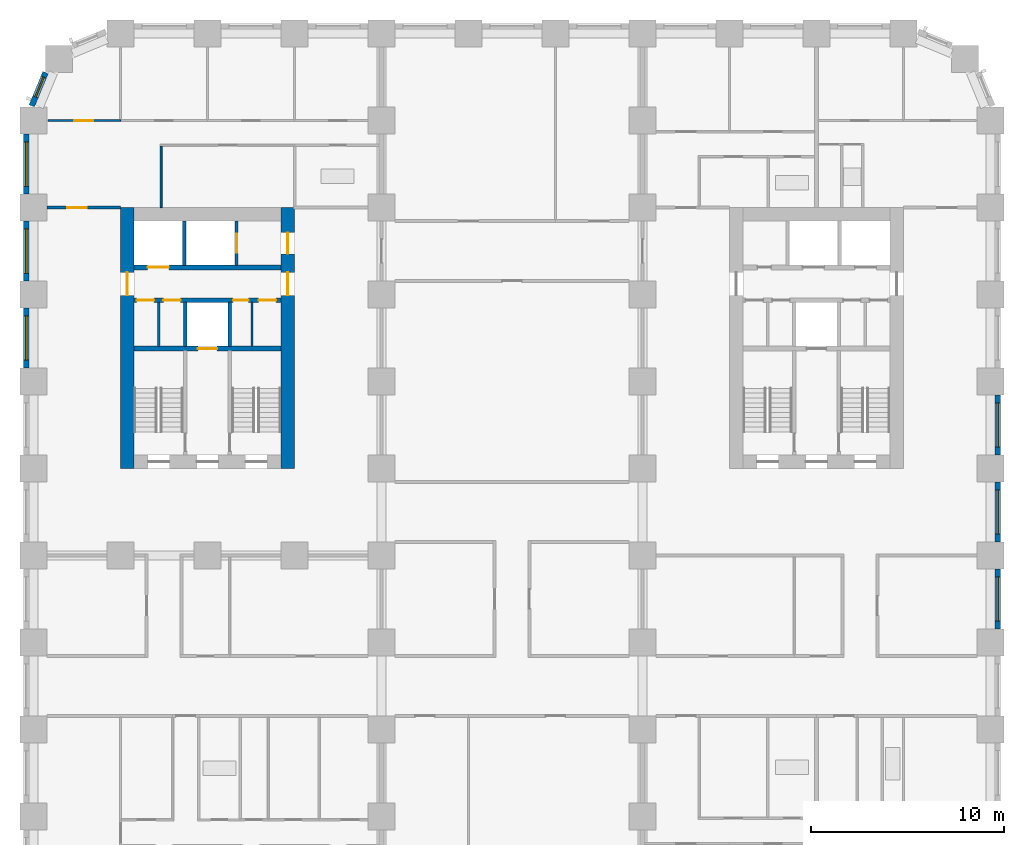
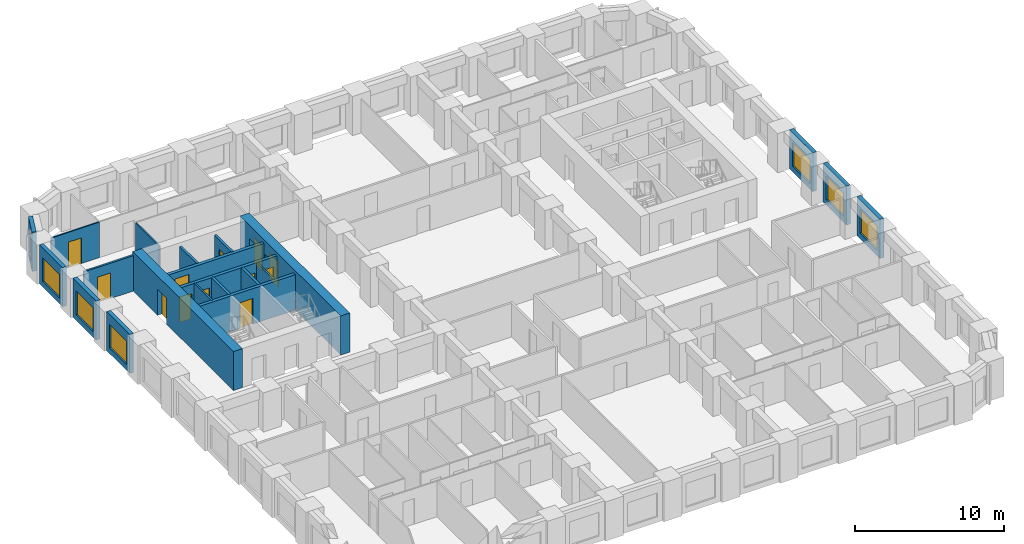
# One storey, part 6 of 12: 21 walls, 12 doors, 7 windows, 19 openings.
"""IFC4 building model written with IfcOpenShell, lengths in metres."""

from ifc_helpers import new_model, si_unit, direction, frame, frame_2d, origin, place, context, subcontext, project, spatial, rectangle, extrude, material, layer, layer_set, type_object, element, fill, save


model = new_model("IFC4")

# Units and contexts
model_context = context("Model", 3, precision=1e-05, world=origin(), true_north=direction((0.0, 1.0)))
body_context = subcontext(model_context, "Body", "Model", "MODEL_VIEW")
ifc_project = project(units=[si_unit("LENGTHUNIT", "METRE"), si_unit("AREAUNIT", "SQUARE_METRE"), si_unit("VOLUMEUNIT", "CUBIC_METRE"), si_unit("PLANEANGLEUNIT", "RADIAN"), si_unit("MASSUNIT", "GRAM", prefix="KILO")], contexts=[model_context])

# Site, building, storey
site_placement = place(None, origin())
site = spatial("IfcSite", under=ifc_project, at=site_placement, CompositionType="ELEMENT")
building_placement = place(site_placement, origin())
building = spatial("IfcBuilding", under=site, at=building_placement, Name="Girih Gate Residences", CompositionType="ELEMENT")
storey_placement = place(building_placement, frame((0.0, 0.0, 59.199951171875)))
storey = spatial("IfcBuildingStorey", under=building, at=storey_placement, Name="L15", CompositionType="ELEMENT", Elevation=59.199951171875)

# Wall, opening, door
ifc_material_1 = material(Name="Gypsum board on steel studs", Category="steel")
ifc_layer_1 = layer(ifc_material_1, 0.14990234375)
ifc_layer_set_1 = layer_set([ifc_layer_1], Name="Compartment wall 150 mm")
wall_type_1 = type_object("IfcWallType", Name="Compartment wall 150 mm", PredefinedType="PARTITIONING", material=ifc_layer_set_1)
wall_1_placement = place(storey_placement, frame((0.699951171875, 40.5, 0.0), z_axis=(0.0, 0.0, 1.0), x_axis=(1.0, 0.0, 0.0)))
wall_1 = element("IfcWall", 1, at=wall_1_placement, inside=storey, type_object=wall_type_1, Name="L15 partition", PredefinedType="PARTITIONING", context=body_context, shape_type="SweptSolid", body=[
    extrude(rectangle(XDim=3.800048828125, YDim=0.14990234375, at=frame_2d((1.89990234375, 0.0))), origin(), (0.0, 0.0, 1.0), 2.900146484375),
])
opening_1_placement = place(wall_1_placement, frame((1.050048828125, 0.0, 0.0)))
opening_1 = element("IfcOpeningElement", 2, at=opening_1_placement, cuts=wall_1, Name="Opening A15-017", PredefinedType="OPENING", context=body_context, shape_type="SweptSolid", body=[
    extrude(rectangle(XDim=1.0, YDim=2.10009765625, at=frame_2d((0.5, 1.050048828125))), frame((0.0, 0.0849609375, 0.0), z_axis=(0.0, -1.0, 0.0), x_axis=(1.0, 0.0, 0.0)), (0.0, 0.0, 1.0), 0.169921875),
])
ifc_material_2 = material(Name="Timber, fire-rated core", Category="wood")
door_type_1 = type_object("IfcDoorType", Name="Flat entrance door 1000x2100 FD30S", OperationType="NOTDEFINED", PredefinedType="DOOR", material=ifc_material_2)
door_1_placement = place(opening_1_placement, origin())
door_1 = element("IfcDoor", 3, at=door_1_placement, inside=storey, type_object=door_type_1, Name="Door A15-017", OperationType="SINGLE_SWING_LEFT", OverallHeight=2.10009765625, OverallWidth=1.0, PredefinedType="DOOR", context=body_context, shape_type="SweptSolid", body=[
    extrude(rectangle(XDim=1.0, YDim=2.10009765625, at=frame_2d((0.5, 1.050048828125))), frame((0.0, 0.02490234375, 0.0), z_axis=(0.0, -1.0, 0.0), x_axis=(1.0, 0.0, 0.0)), (0.0, 0.0, 1.0), 0.050048828125),
])
fill(opening_1, door_1)

ifc_material_3 = material(Name="Concrete C60/75", Category="concrete")
ifc_layer_2 = layer(ifc_material_3, 0.699951171875)
ifc_layer_set_2 = layer_set([ifc_layer_2], Name="Core wall RC 700 Concrete C60/75")
wall_type_2 = type_object("IfcWallType", Name="Core wall RC 700 Concrete C60/75", PredefinedType="SOLIDWALL", material=ifc_layer_set_2)
wall_2_placement = place(storey_placement, frame((4.85009765625, 27.0, 0.0), z_axis=(0.0, 0.0, 1.0), x_axis=(0.0, 1.0, 0.0)))
wall_2 = element("IfcWall", 4, at=wall_2_placement, inside=storey, type_object=wall_type_2, Name="Core wall W-W L15", PredefinedType="SOLIDWALL", context=body_context, shape_type="SweptSolid", body=[
    extrude(rectangle(XDim=13.5, YDim=0.699951171875, at=frame_2d((6.75, 0.0))), origin(), (0.0, 0.0, 1.0), 3.199951171875),
])
opening_2_placement = place(wall_2_placement, frame((8.949951171875, 0.0, 0.0)))
opening_2 = element("IfcOpeningElement", 5, at=opening_2_placement, cuts=wall_2, Name="Opening D-L15-W-014", PredefinedType="OPENING", context=body_context, shape_type="SweptSolid", body=[
    extrude(rectangle(XDim=1.199951171875, YDim=2.10009765625, at=frame_2d((0.60009765625, 1.050048828125))), frame((0.0, 0.35986328125, 0.0), z_axis=(0.0, -1.0, 0.0), x_axis=(1.0, 0.0, 0.0)), (0.0, 0.0, 1.0), 0.719970703125),
])
ifc_material_4 = material(Name="Painted steel, fire-resisting", Category="steel")
door_type_2 = type_object("IfcDoorType", Name="Fire door 1200x2100", OperationType="SINGLE_SWING_LEFT", PredefinedType="DOOR", material=ifc_material_4)
door_2_placement = place(opening_2_placement, origin())
door_2 = element("IfcDoor", 6, at=door_2_placement, inside=storey, type_object=door_type_2, Name="L15 W core door ll-w", OperationType="SINGLE_SWING_LEFT", OverallHeight=2.10009765625, OverallWidth=1.199951171875, PredefinedType="DOOR", context=body_context, shape_type="SweptSolid", body=[
    extrude(rectangle(XDim=1.199951171875, YDim=2.10009765625, at=frame_2d((0.60009765625, 1.050048828125))), frame((0.0, 0.02490234375, 0.0), z_axis=(0.0, -1.0, 0.0), x_axis=(1.0, 0.0, 0.0)), (0.0, 0.0, 1.0), 0.050048828125),
])
fill(opening_2, door_2)

# Wall, openings, doors
wall_3_placement = place(storey_placement, frame((13.14990234375, 27.0, 0.0), z_axis=(0.0, 0.0, 1.0), x_axis=(0.0, 1.0, 0.0)))
wall_3 = element("IfcWall", 7, at=wall_3_placement, inside=storey, type_object=wall_type_2, Name="Core wall W-E L15", PredefinedType="SOLIDWALL", context=body_context, shape_type="SweptSolid", body=[
    extrude(rectangle(XDim=13.5, YDim=0.699951171875, at=frame_2d((6.75, 0.0))), origin(), (0.0, 0.0, 1.0), 3.199951171875),
])
opening_3_placement = place(wall_3_placement, frame((11.10009765625, 0.0, 0.0)))
opening_3 = element("IfcOpeningElement", 8, at=opening_3_placement, cuts=wall_3, Name="Opening D-L15-W-013", PredefinedType="OPENING", context=body_context, shape_type="SweptSolid", body=[
    extrude(rectangle(XDim=1.10009765625, YDim=2.10009765625, at=frame_2d((0.550048828125, 1.050048828125))), frame((0.0, 0.35986328125, 0.0), z_axis=(0.0, -1.0, 0.0), x_axis=(1.0, 0.0, 0.0)), (0.0, 0.0, 1.0), 0.719970703125),
])
opening_4_placement = place(wall_3_placement, frame((8.949951171875, 0.0, 0.0)))
opening_4 = element("IfcOpeningElement", 9, at=opening_4_placement, cuts=wall_3, Name="Opening D-L15-W-015", PredefinedType="OPENING", context=body_context, shape_type="SweptSolid", body=[
    extrude(rectangle(XDim=1.199951171875, YDim=2.10009765625, at=frame_2d((0.60009765625, 1.050048828125))), frame((0.0, 0.35986328125, 0.0), z_axis=(0.0, -1.0, 0.0), x_axis=(1.0, 0.0, 0.0)), (0.0, 0.0, 1.0), 0.719970703125),
])
door_type_3 = type_object("IfcDoorType", Name="Fire door 1100x2100", OperationType="SINGLE_SWING_LEFT", PredefinedType="DOOR", material=ifc_material_4)
door_3_placement = place(opening_3_placement, origin())
door_3 = element("IfcDoor", 10, at=door_3_placement, inside=storey, type_object=door_type_3, Name="L15 W core door ffl2-e", OperationType="SINGLE_SWING_LEFT", OverallHeight=2.10009765625, OverallWidth=1.10009765625, PredefinedType="DOOR", context=body_context, shape_type="SweptSolid", body=[
    extrude(rectangle(XDim=1.10009765625, YDim=2.10009765625, at=frame_2d((0.550048828125, 1.050048828125))), frame((0.0, 0.02490234375, 0.0), z_axis=(0.0, -1.0, 0.0), x_axis=(1.0, 0.0, 0.0)), (0.0, 0.0, 1.0), 0.050048828125),
])
fill(opening_3, door_3)
door_4_placement = place(opening_4_placement, origin())
door_4 = element("IfcDoor", 11, at=door_4_placement, inside=storey, type_object=door_type_2, Name="L15 W core door ll-e", OperationType="SINGLE_SWING_LEFT", OverallHeight=2.10009765625, OverallWidth=1.199951171875, PredefinedType="DOOR", context=body_context, shape_type="SweptSolid", body=[
    extrude(rectangle(XDim=1.199951171875, YDim=2.10009765625, at=frame_2d((0.60009765625, 1.050048828125))), frame((0.0, 0.02490234375, 0.0), z_axis=(0.0, -1.0, 0.0), x_axis=(1.0, 0.0, 0.0)), (0.0, 0.0, 1.0), 0.050048828125),
])
fill(opening_4, door_4)

# Wall, opening, door
ifc_material_5 = material(Name="Concrete C40/50", Category="concrete")
ifc_layer_3 = layer(ifc_material_5, 0.25)
ifc_layer_set_3 = layer_set([ifc_layer_3], Name="Lift shaft wall 250")
wall_type_3 = type_object("IfcWallType", Name="Lift shaft wall 250", PredefinedType="SOLIDWALL", material=ifc_layer_set_3)
wall_4_placement = place(storey_placement, frame((5.199951171875, 33.199951171875, 0.0), z_axis=(0.0, 0.0, 1.0), x_axis=(1.0, 0.0, 0.0)))
wall_4 = element("IfcWall", 12, at=wall_4_placement, inside=storey, type_object=wall_type_3, Name="L15 W core wall H1", PredefinedType="SOLIDWALL", context=body_context, shape_type="SweptSolid", body=[
    extrude(rectangle(XDim=7.60009765625, YDim=0.25, at=frame_2d((3.800048828125, 0.0))), origin(), (0.0, 0.0, 1.0), 2.900146484375),
])
opening_5_placement = place(wall_4_placement, frame((3.300048828125, 0.0, 0.0)))
opening_5 = element("IfcOpeningElement", 13, at=opening_5_placement, cuts=wall_4, Name="Opening D-L15-W-005", PredefinedType="OPENING", context=body_context, shape_type="SweptSolid", body=[
    extrude(rectangle(XDim=1.0, YDim=2.10009765625, at=frame_2d((0.5, 1.050048828125))), frame((0.0, 0.135009765625, 0.0), z_axis=(0.0, -1.0, 0.0), x_axis=(1.0, 0.0, 0.0)), (0.0, 0.0, 1.0), 0.27001953125),
])
ifc_material_6 = material(Name="Stainless steel, fire-resisting", Category="steel")
door_type_4 = type_object("IfcDoorType", Name="Firefighting lift landing door 1000x2100", OperationType="SLIDING_TO_LEFT", PredefinedType="DOOR", material=ifc_material_6)
door_5_placement = place(opening_5_placement, origin())
door_5 = element("IfcDoor", 14, at=door_5_placement, inside=storey, type_object=door_type_4, Name="L15 lift FF-W landing door", OperationType="SLIDING_TO_LEFT", OverallHeight=2.10009765625, OverallWidth=1.0, PredefinedType="DOOR", context=body_context, shape_type="SweptSolid", body=[
    extrude(rectangle(XDim=1.0, YDim=2.10009765625, at=frame_2d((0.5, 1.050048828125))), frame((0.0, 0.02490234375, 0.0), z_axis=(0.0, -1.0, 0.0), x_axis=(1.0, 0.0, 0.0)), (0.0, 0.0, 1.0), 0.050048828125),
])
fill(opening_5, door_5)

# Wall, openings, doors
wall_5_placement = place(storey_placement, frame((5.199951171875, 35.699951171875, 0.0), z_axis=(0.0, 0.0, 1.0), x_axis=(1.0, 0.0, 0.0)))
wall_5 = element("IfcWall", 15, at=wall_5_placement, inside=storey, type_object=wall_type_3, Name="L15 W core wall H2", PredefinedType="SOLIDWALL", context=body_context, shape_type="SweptSolid", body=[
    extrude(rectangle(XDim=7.60009765625, YDim=0.25, at=frame_2d((3.800048828125, 0.0))), origin(), (0.0, 0.0, 1.0), 2.900146484375),
])
opening_6_placement = place(wall_5_placement, frame((0.137451171875, 0.0, 0.0)))
opening_6 = element("IfcOpeningElement", 16, at=opening_6_placement, cuts=wall_5, Name="Opening D-L15-W-006", PredefinedType="OPENING", context=body_context, shape_type="SweptSolid", body=[
    extrude(rectangle(XDim=0.89990234375, YDim=2.10009765625, at=frame_2d((0.449951171875, 1.050048828125))), frame((0.0, 0.135009765625, 0.0), z_axis=(0.0, -1.0, 0.0), x_axis=(1.0, 0.0, 0.0)), (0.0, 0.0, 1.0), 0.27001953125),
])
opening_7_placement = place(wall_5_placement, frame((1.512451171875, 0.0, 0.0)))
opening_7 = element("IfcOpeningElement", 17, at=opening_7_placement, cuts=wall_5, Name="Opening D-L15-W-007", PredefinedType="OPENING", context=body_context, shape_type="SweptSolid", body=[
    extrude(rectangle(XDim=0.89990234375, YDim=2.10009765625, at=frame_2d((0.449951171875, 1.050048828125))), frame((0.0, 0.135009765625, 0.0), z_axis=(0.0, -1.0, 0.0), x_axis=(1.0, 0.0, 0.0)), (0.0, 0.0, 1.0), 0.27001953125),
])
opening_8_placement = place(wall_5_placement, frame((5.125, 0.0, 0.0)))
opening_8 = element("IfcOpeningElement", 18, at=opening_8_placement, cuts=wall_5, Name="Opening D-L15-W-008", PredefinedType="OPENING", context=body_context, shape_type="SweptSolid", body=[
    extrude(rectangle(XDim=0.800048828125, YDim=2.10009765625, at=frame_2d((0.39990234375, 1.050048828125))), frame((0.0, 0.135009765625, 0.0), z_axis=(0.0, -1.0, 0.0), x_axis=(1.0, 0.0, 0.0)), (0.0, 0.0, 1.0), 0.27001953125),
])
opening_9_placement = place(wall_5_placement, frame((6.449951171875, 0.0, 0.0)))
opening_9 = element("IfcOpeningElement", 19, at=opening_9_placement, cuts=wall_5, Name="Opening D-L15-W-009", PredefinedType="OPENING", context=body_context, shape_type="SweptSolid", body=[
    extrude(rectangle(XDim=0.89990234375, YDim=2.10009765625, at=frame_2d((0.449951171875, 1.050048828125))), frame((0.0, 0.135009765625, 0.0), z_axis=(0.0, -1.0, 0.0), x_axis=(1.0, 0.0, 0.0)), (0.0, 0.0, 1.0), 0.27001953125),
])
door_type_5 = type_object("IfcDoorType", Name="Fire door 800x2100", OperationType="SINGLE_SWING_LEFT", PredefinedType="DOOR", material=ifc_material_4)
door_6_placement = place(opening_8_placement, origin())
door_6 = element("IfcDoor", 20, at=door_6_placement, inside=storey, type_object=door_type_5, Name="L15 W electrical room door", OperationType="SINGLE_SWING_LEFT", OverallHeight=2.10009765625, OverallWidth=0.800048828125, PredefinedType="DOOR", context=body_context, shape_type="SweptSolid", body=[
    extrude(rectangle(XDim=0.800048828125, YDim=2.10009765625, at=frame_2d((0.39990234375, 1.050048828125))), frame((0.0, 0.02490234375, 0.0), z_axis=(0.0, -1.0, 0.0), x_axis=(1.0, 0.0, 0.0)), (0.0, 0.0, 1.0), 0.050048828125),
])
fill(opening_8, door_6)
door_type_6 = type_object("IfcDoorType", Name="Fire door 900x2100", OperationType="SINGLE_SWING_LEFT", PredefinedType="DOOR", material=ifc_material_4)
door_7_placement = place(opening_6_placement, origin())
door_7 = element("IfcDoor", 21, at=door_7_placement, inside=storey, type_object=door_type_6, Name="L15 W cleaners store door", OperationType="SINGLE_SWING_LEFT", OverallHeight=2.10009765625, OverallWidth=0.89990234375, PredefinedType="DOOR", context=body_context, shape_type="SweptSolid", body=[
    extrude(rectangle(XDim=0.89990234375, YDim=2.10009765625, at=frame_2d((0.449951171875, 1.050048828125))), frame((0.0, 0.02490234375, 0.0), z_axis=(0.0, -1.0, 0.0), x_axis=(1.0, 0.0, 0.0)), (0.0, 0.0, 1.0), 0.050048828125),
])
fill(opening_6, door_7)
door_8_placement = place(opening_7_placement, origin())
door_8 = element("IfcDoor", 22, at=door_8_placement, inside=storey, type_object=door_type_6, Name="L15 W riser room door", OperationType="SINGLE_SWING_LEFT", OverallHeight=2.10009765625, OverallWidth=0.89990234375, PredefinedType="DOOR", context=body_context, shape_type="SweptSolid", body=[
    extrude(rectangle(XDim=0.89990234375, YDim=2.10009765625, at=frame_2d((0.449951171875, 1.050048828125))), frame((0.0, 0.02490234375, 0.0), z_axis=(0.0, -1.0, 0.0), x_axis=(1.0, 0.0, 0.0)), (0.0, 0.0, 1.0), 0.050048828125),
])
fill(opening_7, door_8)
door_9_placement = place(opening_9_placement, origin())
door_9 = element("IfcDoor", 23, at=door_9_placement, inside=storey, type_object=door_type_6, Name="L15 W linen store door", OperationType="SINGLE_SWING_LEFT", OverallHeight=2.10009765625, OverallWidth=0.89990234375, PredefinedType="DOOR", context=body_context, shape_type="SweptSolid", body=[
    extrude(rectangle(XDim=0.89990234375, YDim=2.10009765625, at=frame_2d((0.449951171875, 1.050048828125))), frame((0.0, 0.02490234375, 0.0), z_axis=(0.0, -1.0, 0.0), x_axis=(1.0, 0.0, 0.0)), (0.0, 0.0, 1.0), 0.050048828125),
])
fill(opening_9, door_9)

# Wall, opening, door
wall_6_placement = place(storey_placement, frame((5.199951171875, 37.39990234375, 0.0), z_axis=(0.0, 0.0, 1.0), x_axis=(1.0, 0.0, 0.0)))
wall_6 = element("IfcWall", 24, at=wall_6_placement, inside=storey, type_object=wall_type_3, Name="L15 W core wall H3", PredefinedType="SOLIDWALL", context=body_context, shape_type="SweptSolid", body=[
    extrude(rectangle(XDim=7.60009765625, YDim=0.25, at=frame_2d((3.800048828125, 0.0))), origin(), (0.0, 0.0, 1.0), 2.900146484375),
])
opening_10_placement = place(wall_6_placement, frame((0.699951171875, 0.0, 0.0)))
opening_10 = element("IfcOpeningElement", 25, at=opening_10_placement, cuts=wall_6, Name="Opening D-L15-W-003", PredefinedType="OPENING", context=body_context, shape_type="SweptSolid", body=[
    extrude(rectangle(XDim=1.10009765625, YDim=2.39990234375, at=frame_2d((0.550048828125, 1.199951171875))), frame((0.0, 0.135009765625, 0.0), z_axis=(0.0, -1.0, 0.0), x_axis=(1.0, 0.0, 0.0)), (0.0, 0.0, 1.0), 0.27001953125),
])
ifc_material_7 = material(Name="Stainless steel", Category="steel")
door_type_7 = type_object("IfcDoorType", Name="Lift landing door 1100x2400", OperationType="SLIDING_TO_LEFT", PredefinedType="DOOR", material=ifc_material_7)
door_10_placement = place(opening_10_placement, origin())
door_10 = element("IfcDoor", 26, at=door_10_placement, inside=storey, type_object=door_type_7, Name="L15 lift LR-W1 landing door", OperationType="SLIDING_TO_LEFT", OverallHeight=2.39990234375, OverallWidth=1.10009765625, PredefinedType="DOOR", context=body_context, shape_type="SweptSolid", body=[
    extrude(rectangle(XDim=1.10009765625, YDim=2.39990234375, at=frame_2d((0.550048828125, 1.199951171875))), frame((0.0, 0.02490234375, 0.0), z_axis=(0.0, -1.0, 0.0), x_axis=(1.0, 0.0, 0.0)), (0.0, 0.0, 1.0), 0.050048828125),
])
fill(opening_10, door_10)

# Wall
ifc_layer_4 = layer(ifc_material_1, 0.10009765625)
ifc_layer_set_4 = layer_set([ifc_layer_4], Name="Partition 100 mm")
wall_type_4 = type_object("IfcWallType", Name="Partition 100 mm", PredefinedType="PARTITIONING", material=ifc_layer_set_4)
wall_7_placement = place(storey_placement, frame((6.60009765625, 40.5, 0.0), z_axis=(0.0, 0.0, 1.0), x_axis=(0.0, 1.0, 0.0)))
element("IfcWall", 27, at=wall_7_placement, inside=storey, type_object=wall_type_4, Name="L15 partition", PredefinedType="PARTITIONING", context=body_context, shape_type="SweptSolid", body=[
    extrude(rectangle(XDim=3.169921875, YDim=0.10009765625, at=frame_2d((1.5849609375, 0.0))), origin(), (0.0, 0.0, 1.0), 2.900146484375),
])

# Wall, opening, door
wall_8_placement = place(storey_placement, frame((0.757568359375, 45.0, 0.0), z_axis=(0.0, 0.0, 1.0), x_axis=(1.0, 0.0, 0.0)))
wall_8 = element("IfcWall", 28, at=wall_8_placement, inside=storey, type_object=wall_type_4, Name="L15 partition", PredefinedType="PARTITIONING", context=body_context, shape_type="SweptSolid", body=[
    extrude(rectangle(XDim=3.742431640625, YDim=0.10009765625, at=frame_2d((1.87109375, 0.0))), origin(), (0.0, 0.0, 1.0), 2.900146484375),
])
opening_11_placement = place(wall_8_placement, frame((1.34228515625, 0.0, 0.0)))
opening_11 = element("IfcOpeningElement", 29, at=opening_11_placement, cuts=wall_8, Name="Opening A15-016", PredefinedType="OPENING", context=body_context, shape_type="SweptSolid", body=[
    extrude(rectangle(XDim=1.0, YDim=2.10009765625, at=frame_2d((0.5, 1.050048828125))), frame((0.0, 0.06005859375, 0.0), z_axis=(0.0, -1.0, 0.0), x_axis=(1.0, 0.0, 0.0)), (0.0, 0.0, 1.0), 0.1201171875),
])
ifc_material_8 = material(Name="Timber", Category="wood")
door_type_8 = type_object("IfcDoorType", Name="Living room door 1000x2100", OperationType="NOTDEFINED", PredefinedType="DOOR", material=ifc_material_8)
door_11_placement = place(opening_11_placement, origin())
door_11 = element("IfcDoor", 30, at=door_11_placement, inside=storey, type_object=door_type_8, Name="Door A15-016", OperationType="SINGLE_SWING_LEFT", OverallHeight=2.10009765625, OverallWidth=1.0, PredefinedType="DOOR", context=body_context, shape_type="SweptSolid", body=[
    extrude(rectangle(XDim=1.0, YDim=2.10009765625, at=frame_2d((0.5, 1.050048828125))), frame((0.0, 0.02490234375, 0.0), z_axis=(0.0, -1.0, 0.0), x_axis=(1.0, 0.0, 0.0)), (0.0, 0.0, 1.0), 0.050048828125),
])
fill(opening_11, door_11)

# Wall, opening, window
ifc_material_9 = material(Name="Precast concrete C50/60", Category="concrete")
ifc_layer_5 = layer(ifc_material_9, 0.080078125, Name="Outer leaf")
ifc_material_10 = material(Name="Rigid PIR insulation")
ifc_layer_6 = layer(ifc_material_10, 0.14990234375, Name="Insulation")
ifc_material_11 = material(Name="Precast concrete C40/50", Category="concrete")
ifc_layer_7 = layer(ifc_material_11, 0.070068359375, Name="Inner leaf")
ifc_layer_set_5 = layer_set([ifc_layer_5, ifc_layer_6, ifc_layer_7], Name="Precast concrete C50/60 external wall 300")
wall_type_5 = type_object("IfcWallType", Name="Precast concrete C50/60 external wall 300", PredefinedType="SOLIDWALL", material=ifc_layer_set_5)
wall_9_placement = place(storey_placement, frame((49.875, 21.800048828125, 0.0), z_axis=(0.0, 0.0, 1.0), x_axis=(0.0, -1.0, 0.0)))
wall_9 = element("IfcWall", 31, at=wall_9_placement, inside=storey, type_object=wall_type_5, Name="External wall E0495_0045.3", PredefinedType="SOLIDWALL", context=body_context, shape_type="SweptSolid", body=[
    extrude(rectangle(XDim=3.10009765625, YDim=0.300048828125, at=frame_2d((1.550048828125, 0.0))), origin(), (0.0, 0.0, 1.0), 3.199951171875),
])
opening_12_placement = place(wall_9_placement, frame((0.39990234375, 0.0, 0.449951171875)))
opening_12 = element("IfcOpeningElement", 32, at=opening_12_placement, cuts=wall_9, Name="Opening W-1", PredefinedType="OPENING", context=body_context, shape_type="SweptSolid", body=[
    extrude(rectangle(XDim=2.300048828125, YDim=1.949951171875, at=frame_2d((1.14990234375, 0.97509765625))), frame((0.0, 0.159912109375, 0.0), z_axis=(0.0, -1.0, 0.0), x_axis=(1.0, 0.0, 0.0)), (0.0, 0.0, 1.0), 0.320068359375),
])
ifc_material_12 = material(Name="Double glazing in aluminium frame", Category="aluminium")
window_type_1 = type_object("IfcWindowType", Name="Window W-1 2300x1950", PartitioningType="SINGLE_PANEL", PredefinedType="WINDOW", material=ifc_material_12)
window_1_placement = place(opening_12_placement, origin())
window_1 = element("IfcWindow", 33, at=window_1_placement, inside=storey, type_object=window_type_1, Name="Window W-1 E0495_0045.3", OverallHeight=1.949951171875, OverallWidth=2.300048828125, PartitioningType="SINGLE_PANEL", PredefinedType="WINDOW", context=body_context, shape_type="SweptSolid", body=[
    extrude(rectangle(XDim=2.300048828125, YDim=1.949951171875, at=frame_2d((1.14990234375, 0.97509765625))), frame((0.0, 0.030029296875, 0.0), z_axis=(0.0, -1.0, 0.0), x_axis=(1.0, 0.0, 0.0)), (0.0, 0.0, 1.0), 0.06005859375),
])
fill(opening_12, window_1)

wall_10_placement = place(storey_placement, frame((49.875, 26.300048828125, 0.0), z_axis=(0.0, 0.0, 1.0), x_axis=(0.0, -1.0, 0.0)))
wall_10 = element("IfcWall", 34, at=wall_10_placement, inside=storey, type_object=wall_type_5, Name="External wall E0495_0045.4", PredefinedType="SOLIDWALL", context=body_context, shape_type="SweptSolid", body=[
    extrude(rectangle(XDim=3.10009765625, YDim=0.300048828125, at=frame_2d((1.550048828125, 0.0))), origin(), (0.0, 0.0, 1.0), 3.199951171875),
])
opening_13_placement = place(wall_10_placement, frame((0.39990234375, 0.0, 0.449951171875)))
opening_13 = element("IfcOpeningElement", 35, at=opening_13_placement, cuts=wall_10, Name="Opening W-1", PredefinedType="OPENING", context=body_context, shape_type="SweptSolid", body=[
    extrude(rectangle(XDim=2.300048828125, YDim=1.949951171875, at=frame_2d((1.14990234375, 0.97509765625))), frame((0.0, 0.159912109375, 0.0), z_axis=(0.0, -1.0, 0.0), x_axis=(1.0, 0.0, 0.0)), (0.0, 0.0, 1.0), 0.320068359375),
])
window_2_placement = place(opening_13_placement, origin())
window_2 = element("IfcWindow", 36, at=window_2_placement, inside=storey, type_object=window_type_1, Name="Window W-1 E0495_0045.4", OverallHeight=1.949951171875, OverallWidth=2.300048828125, PartitioningType="SINGLE_PANEL", PredefinedType="WINDOW", context=body_context, shape_type="SweptSolid", body=[
    extrude(rectangle(XDim=2.300048828125, YDim=1.949951171875, at=frame_2d((1.14990234375, 0.97509765625))), frame((0.0, 0.030029296875, 0.0), z_axis=(0.0, -1.0, 0.0), x_axis=(1.0, 0.0, 0.0)), (0.0, 0.0, 1.0), 0.06005859375),
])
fill(opening_13, window_2)

wall_11_placement = place(storey_placement, frame((49.875, 30.800048828125, 0.0), z_axis=(0.0, 0.0, 1.0), x_axis=(0.0, -1.0, 0.0)))
wall_11 = element("IfcWall", 37, at=wall_11_placement, inside=storey, type_object=wall_type_5, Name="External wall E0495_0045.5", PredefinedType="SOLIDWALL", context=body_context, shape_type="SweptSolid", body=[
    extrude(rectangle(XDim=3.10009765625, YDim=0.300048828125, at=frame_2d((1.550048828125, 0.0))), origin(), (0.0, 0.0, 1.0), 3.199951171875),
])
opening_14_placement = place(wall_11_placement, frame((0.39990234375, 0.0, 0.449951171875)))
opening_14 = element("IfcOpeningElement", 38, at=opening_14_placement, cuts=wall_11, Name="Opening W-1", PredefinedType="OPENING", context=body_context, shape_type="SweptSolid", body=[
    extrude(rectangle(XDim=2.300048828125, YDim=1.949951171875, at=frame_2d((1.14990234375, 0.97509765625))), frame((0.0, 0.159912109375, 0.0), z_axis=(0.0, -1.0, 0.0), x_axis=(1.0, 0.0, 0.0)), (0.0, 0.0, 1.0), 0.320068359375),
])
window_3_placement = place(opening_14_placement, origin())
window_3 = element("IfcWindow", 39, at=window_3_placement, inside=storey, type_object=window_type_1, Name="Window W-1 E0495_0045.5", OverallHeight=1.949951171875, OverallWidth=2.300048828125, PartitioningType="SINGLE_PANEL", PredefinedType="WINDOW", context=body_context, shape_type="SweptSolid", body=[
    extrude(rectangle(XDim=2.300048828125, YDim=1.949951171875, at=frame_2d((1.14990234375, 0.97509765625))), frame((0.0, 0.030029296875, 0.0), z_axis=(0.0, -1.0, 0.0), x_axis=(1.0, 0.0, 0.0)), (0.0, 0.0, 1.0), 0.06005859375),
])
fill(opening_14, window_3)

wall_12_placement = place(storey_placement, frame((-0.09228515625, 45.75732421875, 0.0), z_axis=(0.0, 0.0, 1.0), x_axis=(0.382737135771, 0.923857286003, 0.0)))
wall_12 = element("IfcWall", 40, at=wall_12_placement, inside=storey, type_object=wall_type_5, Name="External wall NW0013_0482.0", PredefinedType="SOLIDWALL", context=body_context, shape_type="SweptSolid", body=[
    extrude(rectangle(XDim=1.865234375, YDim=0.300048828125, at=frame_2d((0.9326171875, 0.0))), origin(), (0.0, 0.0, 1.0), 3.199951171875),
])
opening_15_placement = place(wall_12_placement, frame((0.507568359375, 0.0, 0.449951171875)))
opening_15 = element("IfcOpeningElement", 41, at=opening_15_placement, cuts=wall_12, Name="Opening W-2C", PredefinedType="OPENING", context=body_context, shape_type="SweptSolid", body=[
    extrude(rectangle(XDim=1.10009765625, YDim=1.949951171875, at=frame_2d((0.550048828125, 0.97509765625))), frame((0.0, 0.159912109375, 0.0), z_axis=(0.0, -1.0, 0.0), x_axis=(1.0, 0.0, 0.0)), (0.0, 0.0, 1.0), 0.320068359375),
])
window_type_2 = type_object("IfcWindowType", Name="Window W-2C 1100x1950", PartitioningType="SINGLE_PANEL", PredefinedType="WINDOW", material=ifc_material_12)
window_4_placement = place(opening_15_placement, origin())
window_4 = element("IfcWindow", 42, at=window_4_placement, inside=storey, type_object=window_type_2, Name="Window W-2C NW0013_0482.0", OverallHeight=1.949951171875, OverallWidth=1.10009765625, PartitioningType="SINGLE_PANEL", PredefinedType="WINDOW", context=body_context, shape_type="SweptSolid", body=[
    extrude(rectangle(XDim=1.10009765625, YDim=1.949951171875, at=frame_2d((0.550048828125, 0.97509765625))), frame((0.0, 0.030029296875, 0.0), z_axis=(0.0, -1.0, 0.0), x_axis=(1.0, 0.0, 0.0)), (0.0, 0.0, 1.0), 0.06005859375),
])
fill(opening_15, window_4)

wall_13_placement = place(storey_placement, frame((-0.375, 41.199951171875, 0.0), z_axis=(0.0, 0.0, 1.0), x_axis=(0.0, 1.0, 0.0)))
wall_13 = element("IfcWall", 43, at=wall_13_placement, inside=storey, type_object=wall_type_5, Name="External wall W0000_0450.0", PredefinedType="SOLIDWALL", context=body_context, shape_type="SweptSolid", body=[
    extrude(rectangle(XDim=3.10009765625, YDim=0.300048828125, at=frame_2d((1.550048828125, 0.0))), origin(), (0.0, 0.0, 1.0), 3.199951171875),
])
opening_16_placement = place(wall_13_placement, frame((0.39990234375, 0.0, 0.449951171875)))
opening_16 = element("IfcOpeningElement", 44, at=opening_16_placement, cuts=wall_13, Name="Opening W-1", PredefinedType="OPENING", context=body_context, shape_type="SweptSolid", body=[
    extrude(rectangle(XDim=2.300048828125, YDim=1.949951171875, at=frame_2d((1.14990234375, 0.97509765625))), frame((0.0, 0.159912109375, 0.0), z_axis=(0.0, -1.0, 0.0), x_axis=(1.0, 0.0, 0.0)), (0.0, 0.0, 1.0), 0.320068359375),
])
window_5_placement = place(opening_16_placement, origin())
window_5 = element("IfcWindow", 45, at=window_5_placement, inside=storey, type_object=window_type_1, Name="Window W-1 W0000_0450.0", OverallHeight=1.949951171875, OverallWidth=2.300048828125, PartitioningType="SINGLE_PANEL", PredefinedType="WINDOW", context=body_context, shape_type="SweptSolid", body=[
    extrude(rectangle(XDim=2.300048828125, YDim=1.949951171875, at=frame_2d((1.14990234375, 0.97509765625))), frame((0.0, 0.030029296875, 0.0), z_axis=(0.0, -1.0, 0.0), x_axis=(1.0, 0.0, 0.0)), (0.0, 0.0, 1.0), 0.06005859375),
])
fill(opening_16, window_5)

wall_14_placement = place(storey_placement, frame((-0.375, 36.699951171875, 0.0), z_axis=(0.0, 0.0, 1.0), x_axis=(0.0, 1.0, 0.0)))
wall_14 = element("IfcWall", 46, at=wall_14_placement, inside=storey, type_object=wall_type_5, Name="External wall W0000_0450.1", PredefinedType="SOLIDWALL", context=body_context, shape_type="SweptSolid", body=[
    extrude(rectangle(XDim=3.10009765625, YDim=0.300048828125, at=frame_2d((1.550048828125, 0.0))), origin(), (0.0, 0.0, 1.0), 3.199951171875),
])
opening_17_placement = place(wall_14_placement, frame((0.39990234375, 0.0, 0.449951171875)))
opening_17 = element("IfcOpeningElement", 47, at=opening_17_placement, cuts=wall_14, Name="Opening W-1", PredefinedType="OPENING", context=body_context, shape_type="SweptSolid", body=[
    extrude(rectangle(XDim=2.300048828125, YDim=1.949951171875, at=frame_2d((1.14990234375, 0.97509765625))), frame((0.0, 0.159912109375, 0.0), z_axis=(0.0, -1.0, 0.0), x_axis=(1.0, 0.0, 0.0)), (0.0, 0.0, 1.0), 0.320068359375),
])
window_6_placement = place(opening_17_placement, origin())
window_6 = element("IfcWindow", 48, at=window_6_placement, inside=storey, type_object=window_type_1, Name="Window W-1 W0000_0450.1", OverallHeight=1.949951171875, OverallWidth=2.300048828125, PartitioningType="SINGLE_PANEL", PredefinedType="WINDOW", context=body_context, shape_type="SweptSolid", body=[
    extrude(rectangle(XDim=2.300048828125, YDim=1.949951171875, at=frame_2d((1.14990234375, 0.97509765625))), frame((0.0, 0.030029296875, 0.0), z_axis=(0.0, -1.0, 0.0), x_axis=(1.0, 0.0, 0.0)), (0.0, 0.0, 1.0), 0.06005859375),
])
fill(opening_17, window_6)

wall_15_placement = place(storey_placement, frame((-0.375, 32.199951171875, 0.0), z_axis=(0.0, 0.0, 1.0), x_axis=(0.0, 1.0, 0.0)))
wall_15 = element("IfcWall", 49, at=wall_15_placement, inside=storey, type_object=wall_type_5, Name="External wall W0000_0450.2", PredefinedType="SOLIDWALL", context=body_context, shape_type="SweptSolid", body=[
    extrude(rectangle(XDim=3.10009765625, YDim=0.300048828125, at=frame_2d((1.550048828125, 0.0))), origin(), (0.0, 0.0, 1.0), 3.199951171875),
])
opening_18_placement = place(wall_15_placement, frame((0.39990234375, 0.0, 0.449951171875)))
opening_18 = element("IfcOpeningElement", 50, at=opening_18_placement, cuts=wall_15, Name="Opening W-1", PredefinedType="OPENING", context=body_context, shape_type="SweptSolid", body=[
    extrude(rectangle(XDim=2.300048828125, YDim=1.949951171875, at=frame_2d((1.14990234375, 0.97509765625))), frame((0.0, 0.159912109375, 0.0), z_axis=(0.0, -1.0, 0.0), x_axis=(1.0, 0.0, 0.0)), (0.0, 0.0, 1.0), 0.320068359375),
])
window_7_placement = place(opening_18_placement, origin())
window_7 = element("IfcWindow", 51, at=window_7_placement, inside=storey, type_object=window_type_1, Name="Window W-1 W0000_0450.2", OverallHeight=1.949951171875, OverallWidth=2.300048828125, PartitioningType="SINGLE_PANEL", PredefinedType="WINDOW", context=body_context, shape_type="SweptSolid", body=[
    extrude(rectangle(XDim=2.300048828125, YDim=1.949951171875, at=frame_2d((1.14990234375, 0.97509765625))), frame((0.0, 0.030029296875, 0.0), z_axis=(0.0, -1.0, 0.0), x_axis=(1.0, 0.0, 0.0)), (0.0, 0.0, 1.0), 0.06005859375),
])
fill(opening_18, window_7)

# Wall
ifc_layer_8 = layer(ifc_material_5, 0.175048828125)
ifc_layer_set_6 = layer_set([ifc_layer_8], Name="Riser shaft wall 175")
wall_type_6 = type_object("IfcWallType", Name="Riser shaft wall 175", PredefinedType="SOLIDWALL", material=ifc_layer_set_6)
wall_16_placement = place(storey_placement, frame((7.800048828125, 37.5, 0.0), z_axis=(0.0, 0.0, 1.0), x_axis=(0.0, 1.0, 0.0)))
element("IfcWall", 52, at=wall_16_placement, inside=storey, type_object=wall_type_6, Name="L15 W core wall V1c", PredefinedType="SOLIDWALL", context=body_context, shape_type="SweptSolid", body=[
    extrude(rectangle(XDim=2.300048828125, YDim=0.175048828125, at=frame_2d((1.14990234375, 0.0))), origin(), (0.0, 0.0, 1.0), 2.900146484375),
])

# Wall, opening, door
wall_17_placement = place(storey_placement, frame((10.5, 37.5, 0.0), z_axis=(0.0, 0.0, 1.0), x_axis=(0.0, 1.0, 0.0)))
wall_17 = element("IfcWall", 53, at=wall_17_placement, inside=storey, type_object=wall_type_6, Name="L15 W core wall V2c", PredefinedType="SOLIDWALL", context=body_context, shape_type="SweptSolid", body=[
    extrude(rectangle(XDim=2.300048828125, YDim=0.175048828125, at=frame_2d((1.14990234375, 0.0))), origin(), (0.0, 0.0, 1.0), 2.900146484375),
])
opening_19_placement = place(wall_17_placement, frame((0.64990234375, 0.0, 0.0)))
opening_19 = element("IfcOpeningElement", 54, at=opening_19_placement, cuts=wall_17, Name="Opening D-L15-W-004", PredefinedType="OPENING", context=body_context, shape_type="SweptSolid", body=[
    extrude(rectangle(XDim=1.0, YDim=2.10009765625, at=frame_2d((0.5, 1.050048828125))), frame((0.0, 0.097412109375, 0.0), z_axis=(0.0, -1.0, 0.0), x_axis=(1.0, 0.0, 0.0)), (0.0, 0.0, 1.0), 0.195068359375),
])
door_12_placement = place(opening_19_placement, origin())
door_12 = element("IfcDoor", 55, at=door_12_placement, inside=storey, type_object=door_type_4, Name="L15 lift FF-W2 landing door", OperationType="SLIDING_TO_LEFT", OverallHeight=2.10009765625, OverallWidth=1.0, PredefinedType="DOOR", context=body_context, shape_type="SweptSolid", body=[
    extrude(rectangle(XDim=1.0, YDim=2.10009765625, at=frame_2d((0.5, 1.050048828125))), frame((0.0, 0.02490234375, 0.0), z_axis=(0.0, -1.0, 0.0), x_axis=(1.0, 0.0, 0.0)), (0.0, 0.0, 1.0), 0.050048828125),
])
fill(opening_19, door_12)

# Walls
ifc_layer_9 = layer(ifc_material_5, 0.199951171875)
ifc_layer_set_7 = layer_set([ifc_layer_9], Name="Shaft wall 200")
wall_type_7 = type_object("IfcWallType", Name="Shaft wall 200", PredefinedType="SOLIDWALL", material=ifc_layer_set_7)
for number, where, z_axis, x_axis, name in (
    (56, (7.85009765625, 33.300048828125, 0.0), (0.0, 0.0, 1.0), (0.0, 1.0, 0.0), "L15 W core wall V1b"),
    (57, (10.14990234375, 33.300048828125, 0.0), (0.0, 0.0, 1.0), (0.0, 1.0, 0.0), "L15 W core wall V2b"),
):
    element("IfcWall", number, at=place(storey_placement, frame(where, z_axis=z_axis, x_axis=x_axis)), inside=storey, type_object=wall_type_7, Name=name, PredefinedType="SOLIDWALL", context=body_context, shape_type="SweptSolid", body=[
        extrude(rectangle(XDim=2.300048828125, YDim=0.199951171875, at=frame_2d((1.14990234375, 0.0))), origin(), (0.0, 0.0, 1.0), 2.900146484375),
    ])
ifc_material_13 = material(Name="Calcium silicate blockwork", Category="masonry")
ifc_layer_10 = layer(ifc_material_13, 0.125)
ifc_layer_set_8 = layer_set([ifc_layer_10], Name="Store partition 125")
wall_type_8 = type_object("IfcWallType", Name="Store partition 125", PredefinedType="PARTITIONING", material=ifc_layer_set_8)
for number, where, z_axis, x_axis, name in (
    (58, (6.47509765625, 33.300048828125, 0.0), (0.0, 0.0, 1.0), (0.0, 1.0, 0.0), "L15 W core wall SHR1"),
    (59, (11.300048828125, 33.300048828125, 0.0), (0.0, 0.0, 1.0), (0.0, 1.0, 0.0), "L15 W core wall SHR2"),
):
    element("IfcWall", number, at=place(storey_placement, frame(where, z_axis=z_axis, x_axis=x_axis)), inside=storey, type_object=wall_type_8, Name=name, PredefinedType="PARTITIONING", context=body_context, shape_type="SweptSolid", body=[
        extrude(rectangle(XDim=2.300048828125, YDim=0.125, at=frame_2d((1.14990234375, 0.0))), origin(), (0.0, 0.0, 1.0), 2.900146484375),
    ])

save(model, "model.ifc")
